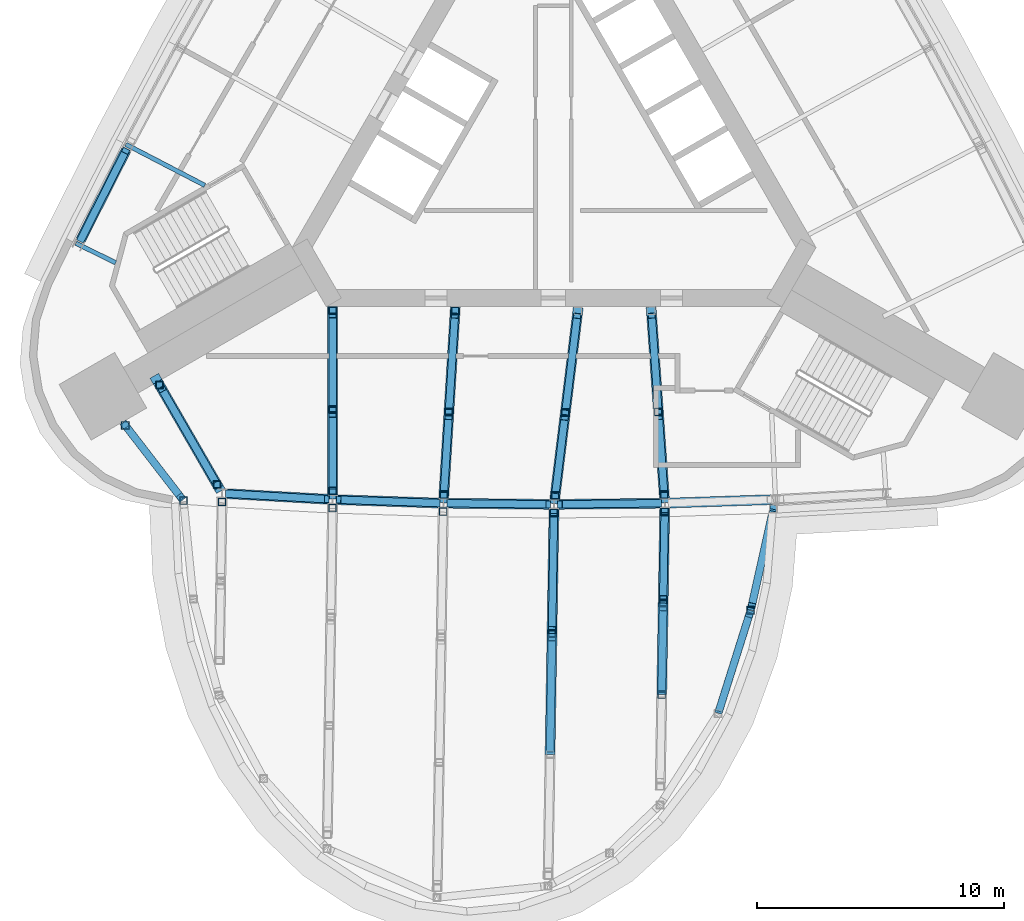
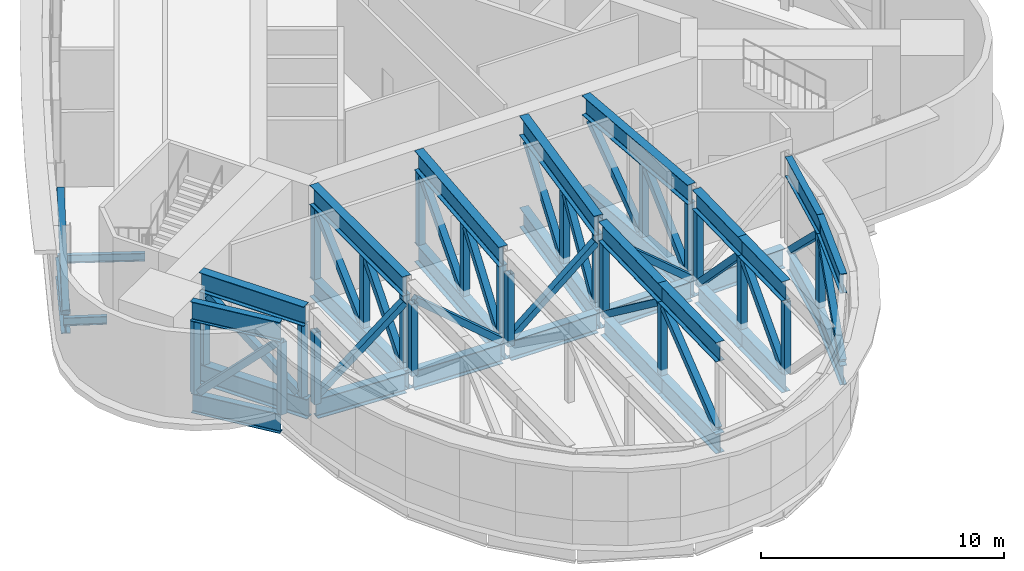
# One storey, part 3 of 10: 68 members, 8 beams.
"""IFC4 building model written with IfcOpenShell, lengths in metres."""

import ifcopenshell
import ifcopenshell.guid

model = None  # the IFC model being written
_history = None  # IfcOwnerHistory: only IFC2X3 demands one
_inside = {}  # id of a spatial element -> (the spatial element, [elements in it])
_under = {}  # id of a project, library or spatial element -> (it, [spatial elements below it])
_declared = {}  # id of a project -> (the project, [libraries it declares])
_typed = {}  # id of a type object -> (the type object, [elements of that type])
_made_of = {}  # id of a material, layer set ... -> (it, [elements and type objects made of it])


def new_model(schema):
    """Start an empty IFC model of exactly this schema.

    Asked for "IFC4X3", IfcOpenShell would pick the latest addendum, in which some entities
    have other attributes; the version numbers below select the first issue.
    IFC2X3 requires an IfcOwnerHistory on every rooted entity: one is made here for all.
    """
    global model, _history
    if schema == "IFC4X3":
        model = ifcopenshell.file(schema_version=(4, 3, 0, 0))
    else:
        model = ifcopenshell.file(schema=schema)
    _inside.clear()
    _under.clear()
    _declared.clear()
    _typed.clear()
    _made_of.clear()
    _history = None
    if model.schema == "IFC2X3":
        org = make("IfcOrganization", Name="unknown")
        user = make(
            "IfcPersonAndOrganization",
            ThePerson=make("IfcPerson", FamilyName="unknown"),
            TheOrganization=org,
        )
        app = make(
            "IfcApplication",
            ApplicationDeveloper=org,
            Version="unknown",
            ApplicationFullName="unknown",
            ApplicationIdentifier="unknown",
        )
        _history = make(
            "IfcOwnerHistory",
            OwningUser=user,
            OwningApplication=app,
            ChangeAction="ADDED",
            CreationDate=0,
        )
    return model


def make(cls, **values):
    """One entity of the class cls with the attributes given. An attribute that is None is left unset."""
    return model.create_entity(
        cls, **{name: value for name, value in values.items() if value is not None}
    )


def rooted(cls, **values):
    """An entity with a GlobalId (a new one), such as an element, a storey or a relation."""
    return make(cls, GlobalId=ifcopenshell.guid.new(), OwnerHistory=_history, **values)


def si_unit(unit_type, name, prefix=None):
    """IfcSIUnit, for example si_unit("LENGTHUNIT", "METRE", prefix="MILLI")."""
    return make("IfcSIUnit", UnitType=unit_type, Prefix=prefix, Name=name)


def assignment(units):
    """IfcUnitAssignment: the units of a project."""
    return None if units is None else make("IfcUnitAssignment", Units=units)


def point(xyz):
    """IfcCartesianPoint."""
    return None if xyz is None else make("IfcCartesianPoint", Coordinates=xyz)


def direction(xyz):
    """IfcDirection."""
    return None if xyz is None else make("IfcDirection", DirectionRatios=xyz)


def frame(location, z_axis=None, x_axis=None):
    """IfcAxis2Placement3D, a coordinate frame: its origin and axes. An axis left out is left unset."""
    return make(
        "IfcAxis2Placement3D",
        Location=point(location),
        Axis=direction(z_axis),
        RefDirection=direction(x_axis),
    )


def frame_2d(location, x_axis=None):
    """IfcAxis2Placement2D, a coordinate frame in the plane: its origin and x axis."""
    return make(
        "IfcAxis2Placement2D", Location=point(location), RefDirection=direction(x_axis)
    )


def origin():
    """The frame at (0, 0, 0) with its axes left unset."""
    return frame((0.0, 0.0, 0.0))


def origin_2d():
    """The frame at (0, 0) in the plane with its x axis left unset."""
    return frame_2d((0.0, 0.0))


def place(relative_to, where):
    """IfcLocalPlacement: puts the frame where relative to a parent placement (None: the world)."""
    return make(
        "IfcLocalPlacement", PlacementRelTo=relative_to, RelativePlacement=where
    )


def context(
    kind, dimensions, precision=None, world=None, true_north=None, identifier=None
):
    """IfcGeometricRepresentationContext, for example the 3D "Model" context."""
    return make(
        "IfcGeometricRepresentationContext",
        ContextIdentifier=identifier,
        ContextType=kind,
        CoordinateSpaceDimension=dimensions,
        Precision=precision,
        WorldCoordinateSystem=world,
        TrueNorth=true_north,
    )


def subcontext(parent, identifier, kind, view, scale=None):
    """IfcGeometricRepresentationSubContext, for example "Body" below "Model"."""
    return make(
        "IfcGeometricRepresentationSubContext",
        ContextIdentifier=identifier,
        ContextType=kind,
        ParentContext=parent,
        TargetScale=scale,
        TargetView=view,
    )


def project(units=None, contexts=None):
    """IfcProject with its units and contexts."""
    return rooted(
        "IfcProject",
        Name="project",
        RepresentationContexts=contexts,
        UnitsInContext=assignment(units),
    )


def spatial(cls, under=None, at=None, **own):
    """A site, building, storey or space (cls), placed at a placement, below another one or the project."""
    s = rooted(cls, ObjectPlacement=at, **own)
    if under is not None:
        _under.setdefault(under.id(), (under, []))[1].append(s)
    return s


def profile(cls, at=None, kind="AREA", **sizes):
    """A parametric profile (cls). Its sizes go by their IFC names, for example OverallWidth=200.0."""
    return make(cls, ProfileType=kind, Position=at, **sizes)


def hollow_rectangle(**sizes):
    """IfcRectangleHollowProfileDef."""
    return profile("IfcRectangleHollowProfileDef", **sizes)


def i_section(**sizes):
    """IfcIShapeProfileDef."""
    return profile("IfcIShapeProfileDef", **sizes)


def extrude(swept, where, along, depth):
    """IfcExtrudedAreaSolid: the profile swept, set in the frame where, extruded along a direction by depth."""
    return make(
        "IfcExtrudedAreaSolid",
        SweptArea=swept,
        Position=where,
        ExtrudedDirection=direction(along),
        Depth=depth,
    )


def shape(context_of_items, identifier, shape_type, items):
    """IfcShapeRepresentation: the items that make up one representation, for example the "Body"."""
    return make(
        "IfcShapeRepresentation",
        ContextOfItems=context_of_items,
        RepresentationIdentifier=identifier,
        RepresentationType=shape_type,
        Items=items,
    )


def material(Name=None, Category=None):
    """IfcMaterial."""
    return make("IfcMaterial", Name=Name, Category=Category)


def material_profile(
    of_material, cross_section, Name=None, Category=None, Priority=None
):
    """IfcMaterialProfile: a cross section and its material."""
    return make(
        "IfcMaterialProfile",
        Name=Name,
        Material=of_material,
        Profile=cross_section,
        Priority=Priority,
        Category=Category,
    )


def profile_set(profiles, Name=None, composite=None):
    """IfcMaterialProfileSet."""
    return make(
        "IfcMaterialProfileSet",
        Name=Name,
        MaterialProfiles=profiles,
        CompositeProfile=composite,
    )


def made_of(thing, what):
    """Note that an element or type object is made of a material, layer set ...; save() writes the relation."""
    if what is not None:
        _made_of.setdefault(what.id(), (what, []))[1].append(thing)
    return thing


def type_object(cls, material=None, **own):
    """A type object (cls), such as IfcWallType, which elements share."""
    return made_of(rooted(cls, **own), material)


def element(
    cls,
    number,
    at=None,
    inside=None,
    cuts=None,
    type_object=None,
    material=None,
    context=None,
    identifier="Body",
    shape_type=None,
    held_by="IfcProductDefinitionShape",
    body=None,
    shapes=None,
    **own,
):
    """One element of the class cls, such as IfcWall. Its Tag is "e" and its number.

    at: its placement. inside: the storey or other place that contains it. cuts: it is an
    opening in that element (IfcRelVoidsElement). A single representation is given by context,
    identifier, shape_type and body (its items); several are given by shapes. held_by: the class
    of the entity that holds the representations. save() writes the other relations.
    """
    e = rooted(cls, Tag="e%d" % number, ObjectPlacement=at, **own)
    if body is not None:
        shapes = [shape(context, identifier, shape_type, body)]
    if shapes is not None:
        e.Representation = make(held_by, Representations=shapes)
    if inside is not None:
        _inside.setdefault(inside.id(), (inside, []))[1].append(e)
    if cuts is not None:
        rooted(
            "IfcRelVoidsElement", RelatingBuildingElement=cuts, RelatedOpeningElement=e
        )
    if type_object is not None:
        _typed.setdefault(type_object.id(), (type_object, []))[1].append(e)
    return made_of(e, material)


def aggregate(whole, parts):
    """IfcRelAggregates: a whole, such as a stair, and the parts it consists of."""
    return rooted("IfcRelAggregates", RelatingObject=whole, RelatedObjects=parts)


def save(model, path):
    """Write the relations noted so far, then the file.

    IfcRelAggregates (storeys below a building ...), IfcRelContainedInSpatialStructure (elements
    in a storey), IfcRelDefinesByType, IfcRelAssociatesMaterial and IfcRelDeclares: one each for
    every whole, place, type object, material and project.
    """
    for whole, parts in _under.values():
        aggregate(whole, parts)
    for where, things in _inside.values():
        rooted(
            "IfcRelContainedInSpatialStructure",
            RelatedElements=things,
            RelatingStructure=where,
        )
    for kind, things in _typed.values():
        rooted("IfcRelDefinesByType", RelatedObjects=things, RelatingType=kind)
    for what, things in _made_of.values():
        rooted("IfcRelAssociatesMaterial", RelatedObjects=things, RelatingMaterial=what)
    for by, libraries in _declared.values():
        rooted("IfcRelDeclares", RelatingContext=by, RelatedDefinitions=libraries)
    model.write(path)


model = new_model("IFC4")

# Units and contexts
model_context = context("Model", 3, precision=1e-05, world=origin(), true_north=direction((0.0, 1.0)))
body_context = subcontext(model_context, "Body", "Model", "MODEL_VIEW")
ifc_project = project(units=[si_unit("LENGTHUNIT", "METRE"), si_unit("AREAUNIT", "SQUARE_METRE"), si_unit("VOLUMEUNIT", "CUBIC_METRE"), si_unit("PLANEANGLEUNIT", "RADIAN"), si_unit("MASSUNIT", "GRAM", prefix="KILO")], contexts=[model_context])

# Site, building, storey
site_placement = place(None, origin())
site = spatial("IfcSite", under=ifc_project, at=site_placement, CompositionType="ELEMENT")
building_placement = place(site_placement, origin())
building = spatial("IfcBuilding", under=site, at=building_placement, Name="Noor Cloister Tower", CompositionType="ELEMENT")
storey_placement = place(building_placement, frame((0.0, 0.0, 210.300048828125)))
storey = spatial("IfcBuildingStorey", under=building, at=storey_placement, Name="L54", CompositionType="ELEMENT", Elevation=210.300048828125)

# Beams
ifc_material_1 = material(Name="Steel ASTM A992 Gr 50", Category="steel")
ifc_material_profile_1 = material_profile(ifc_material_1, i_section(OverallWidth=0.40087890625, OverallDepth=0.98291015625, WebThickness=0.0166015625, FlangeThickness=0.027099609375, FilletRadius=0.030029296875, at=origin_2d()), Name="W1000x296")
ifc_profile_set_1 = profile_set([ifc_material_profile_1], Name="Steel ASTM A992 Gr 50")
beam_type_1 = type_object("IfcBeamType", Name="Belt chord girder W1000x296", PredefinedType="BEAM", material=ifc_profile_set_1)
for number, where, z_axis, x_axis, name in (
    (1, (-17.342041015625, -0.575439453125, -0.79150390625), (-0.451335742221, -0.89235421655, 0.0), (0.89235421655, -0.451335742221, 0.0), "Spandrel beam NW 06 L54"),
    (2, (-13.2568359375, -14.504638671875, -0.79150390625), (0.998470612273, -0.055285047042, 0.0), (0.055285047042, 0.998470612273, 0.0), "Spandrel beam S 01 L54"),
    (3, (-8.77587890625, -14.748291015625, -0.79150390625), (0.999448145516, -0.033217531896, 0.0), (0.033217531896, 0.999448145516, 0.0), "Spandrel beam S 02 L54"),
    (4, (-4.29052734375, -14.89306640625, -0.79150390625), (0.999939135637, -0.01103290631, 0.0), (0.01103290631, 0.999939135637, 0.0), "Spandrel beam S 03 L54"),
    (5, (0.197021484375, -14.938232421875, -0.79150390625), (0.999939135637, 0.01103290631, 0.0), (-0.01103290631, 0.999939135637, 0.0), "Spandrel beam S 04 L54"),
    (6, (4.684326171875, -14.88427734375, -0.79150390625), (0.999448145516, 0.033217531896, 0.0), (-0.033217531896, 0.999448145516, 0.0), "Spandrel beam S 05 L54"),
):
    element("IfcBeam", number, at=place(storey_placement, frame(where, z_axis=z_axis, x_axis=x_axis)), inside=storey, type_object=beam_type_1, Name=name, PredefinedType="BEAM", context=body_context, shape_type="SweptSolid", body=[
        extrude(i_section(OverallWidth=0.40087890625, OverallDepth=0.98291015625, WebThickness=0.0166015625, FlangeThickness=0.027099609375, FilletRadius=0.030029296875, at=origin_2d()), origin(), (0.0, 0.0, 1.0), 4.09375),
    ])

# Members
ifc_material_2 = material(Name="Steel ASTM A500 Gr C", Category="steel")
ifc_material_profile_2 = material_profile(ifc_material_2, hollow_rectangle(XDim=0.304931640625, YDim=0.304931640625, WallThickness=0.0126953125, at=origin_2d()), Name="HSS304.8x304.8x12.7")
ifc_profile_set_2 = profile_set([ifc_material_profile_2], Name="Steel ASTM A500 Gr C")
member_type_1 = type_object("IfcMemberType", Name="Belt truss diagonal HSS304.8x304.8x12.7", PredefinedType="BRACE", material=ifc_profile_set_2)
for number, where, z_axis, x_axis, name in (
    (7, (-19.17138671875, -4.1923828125, -0.183349609375), (0.345024295927, 0.682188103041, 0.644653106166), (-0.892361294309, 0.451321748223, 0.0), "Belt truss diagonal NW 06 L54"),
    (8, (-13.216552734375, -14.5068359375, -0.183349609375), (0.763304965985, -0.042279216019, 0.644653392758), (0.05530490445, 0.998469512576, 0.0), "Belt truss diagonal S 01 L54"),
    (9, (-4.724853515625, -14.883056640625, -0.183349609375), (-0.764051433143, 0.025395512418, 0.644655315235), (-0.03321961707, -0.999448076211, 0.0), "Belt truss diagonal S 02 L54"),
    (10, (-4.25, -14.8935546875, -0.183349609375), (0.764425261671, -0.008465189998, 0.644656776803), (0.011073248648, 0.999938689703, 0.0), "Belt truss diagonal S 03 L54"),
    (11, (4.25, -14.8935546875, -0.183349609375), (-0.764425261671, -0.008465189998, 0.644656776803), (0.011073248648, -0.999938689703, 0.0), "Belt truss diagonal S 04 L54"),
):
    element("IfcMember", number, at=place(storey_placement, frame(where, z_axis=z_axis, x_axis=x_axis)), inside=storey, type_object=member_type_1, Name=name, PredefinedType="BRACE", context=body_context, shape_type="SweptSolid", body=[
        extrude(hollow_rectangle(XDim=0.304931640625, YDim=0.304931640625, WallThickness=0.0126953125, at=origin_2d()), origin(), (0.0, 0.0, 1.0), 5.2490234375),
    ])
ifc_material_3 = material(Name="Steel ASTM A992 Gr 50", Category="steel")
ifc_material_profile_3 = material_profile(ifc_material_3, i_section(OverallWidth=0.300048828125, OverallDepth=0.97998046875, WebThickness=0.0166015625, FlangeThickness=0.026123046875, FilletRadius=0.02978515625, at=origin_2d()), Name="W1000x249")
ifc_profile_set_3 = profile_set([ifc_material_profile_3], Name="Steel ASTM A992 Gr 50")
member_type_2 = type_object("IfcMemberType", Name="Pod ring chord W1000x249", PredefinedType="CHORD", material=ifc_profile_set_3)
member_1_placement = place(storey_placement, frame((-17.457275390625, -11.6318359375, -0.7900390625), z_axis=(0.610864412607, -0.791735226834, 0.0), x_axis=(0.791735226834, 0.610864412607, 0.0)))
element("IfcMember", 12, at=member_1_placement, inside=storey, type_object=member_type_2, Name="Pod truss 4 bottom chord ring 1", PredefinedType="CHORD", context=body_context, shape_type="SweptSolid", body=[
    extrude(i_section(OverallWidth=0.300048828125, OverallDepth=0.97998046875, WebThickness=0.0166015625, FlangeThickness=0.026123046875, FilletRadius=0.02978515625, at=origin_2d()), origin(), (0.0, 0.0, 1.0), 3.945556640625),
])
member_2_placement = place(storey_placement, frame((-17.47265625, -11.612060546875, 3.81005859375), z_axis=(0.610883851341, -0.791720228472, 0.0), x_axis=(0.791720228472, 0.610883851341, 0.0)))
element("IfcMember", 13, at=member_2_placement, inside=storey, type_object=member_type_2, Name="Pod truss 4 top chord ring 1", PredefinedType="CHORD", context=body_context, shape_type="SweptSolid", body=[
    extrude(i_section(OverallWidth=0.300048828125, OverallDepth=0.97998046875, WebThickness=0.0166015625, FlangeThickness=0.026123046875, FilletRadius=0.02978515625, at=origin_2d()), origin(), (0.0, 0.0, 1.0), 3.970458984375),
])
for number, where, z_axis, x_axis, name in (
    (14, (6.65576171875, -23.3994140625, -0.7900390625), (0.300614726383, 0.953745661212, 0.0), (-0.953745661212, 0.300614726383, 0.0), "Pod truss 4 bottom chord ring 11"),
    (15, (6.65576171875, -23.3994140625, 3.81005859375), (0.300614726383, 0.953745661212, 0.0), (-0.953745661212, 0.300614726383, 0.0), "Pod truss 4 top chord ring 11"),
):
    element("IfcMember", number, at=place(storey_placement, frame(where, z_axis=z_axis, x_axis=x_axis)), inside=storey, type_object=member_type_2, Name=name, PredefinedType="CHORD", context=body_context, shape_type="SweptSolid", body=[
        extrude(i_section(OverallWidth=0.300048828125, OverallDepth=0.97998046875, WebThickness=0.0166015625, FlangeThickness=0.026123046875, FilletRadius=0.02978515625, at=origin_2d()), origin(), (0.0, 0.0, 1.0), 4.365234375),
    ])
member_3_placement = place(storey_placement, frame((7.971435546875, -19.223388671875, -0.7900390625), z_axis=(0.217943328655, 0.975961426233, 0.0), x_axis=(-0.975961426233, 0.217943328655, 0.0)))
element("IfcMember", 16, at=member_3_placement, inside=storey, type_object=member_type_2, Name="Pod truss 4 bottom chord ring 12", PredefinedType="CHORD", context=body_context, shape_type="SweptSolid", body=[
    extrude(i_section(OverallWidth=0.300048828125, OverallDepth=0.97998046875, WebThickness=0.0166015625, FlangeThickness=0.026123046875, FilletRadius=0.02978515625, at=origin_2d()), origin(), (0.0, 0.0, 1.0), 4.18505859375),
])
member_4_placement = place(storey_placement, frame((7.971435546875, -19.223388671875, 3.81005859375), z_axis=(0.217920670065, 0.975966485879, 0.0), x_axis=(-0.975966485879, 0.217920670065, 0.0)))
element("IfcMember", 17, at=member_4_placement, inside=storey, type_object=member_type_2, Name="Pod truss 4 top chord ring 12", PredefinedType="CHORD", context=body_context, shape_type="SweptSolid", body=[
    extrude(i_section(OverallWidth=0.300048828125, OverallDepth=0.97998046875, WebThickness=0.0166015625, FlangeThickness=0.026123046875, FilletRadius=0.02978515625, at=origin_2d()), origin(), (0.0, 0.0, 1.0), 4.359130859375),
])
ifc_material_4 = material(Name="Steel ASTM A992 Gr 50", Category="steel")
ifc_material_profile_4 = material_profile(ifc_material_4, i_section(OverallWidth=0.40087890625, OverallDepth=0.98291015625, WebThickness=0.0166015625, FlangeThickness=0.027099609375, FilletRadius=0.030029296875, at=origin_2d()), Name="W1000x296")
ifc_profile_set_4 = profile_set([ifc_material_profile_4], Name="Steel ASTM A992 Gr 50")
member_type_3 = type_object("IfcMemberType", Name="Pod truss chord W1000x296", PredefinedType="CHORD", material=ifc_profile_set_4)
member_5_placement = place(storey_placement, frame((-13.508056640625, -14.399169921875, -0.79150390625), z_axis=(-0.500011235683, 0.866018916762, 0.0), x_axis=(-0.866018916762, -0.500011235683, 0.0)))
element("IfcMember", 18, at=member_5_placement, inside=storey, type_object=member_type_3, Name="Pod truss 4 bottom chord line 1 back span", PredefinedType="CHORD", context=body_context, shape_type="SweptSolid", body=[
    extrude(i_section(OverallWidth=0.40087890625, OverallDepth=0.98291015625, WebThickness=0.0166015625, FlangeThickness=0.027099609375, FilletRadius=0.030029296875, at=origin_2d()), origin(), (0.0, 0.0, 1.0), 5.39111328125),
])
member_6_placement = place(storey_placement, frame((-13.58642578125, -14.263427734375, 3.808349609375), z_axis=(-0.500009380294, 0.866019988001, 0.0), x_axis=(-0.866019988001, -0.500009380294, 0.0)))
element("IfcMember", 19, at=member_6_placement, inside=storey, type_object=member_type_3, Name="Pod truss 4 top chord line 1 back span", PredefinedType="CHORD", context=body_context, shape_type="SweptSolid", body=[
    extrude(i_section(OverallWidth=0.40087890625, OverallDepth=0.98291015625, WebThickness=0.0166015625, FlangeThickness=0.027099609375, FilletRadius=0.030029296875, at=origin_2d()), origin(), (0.0, 0.0, 1.0), 4.95947265625),
])
member_7_placement = place(storey_placement, frame((-8.97265625, -14.723876953125, -0.79150390625), z_axis=(0.0, 1.0, 0.0), x_axis=(-1.0, 0.0, 0.0)))
element("IfcMember", 20, at=member_7_placement, inside=storey, type_object=member_type_3, Name="Pod truss 4 bottom chord line 2 back span", PredefinedType="CHORD", context=body_context, shape_type="SweptSolid", body=[
    extrude(i_section(OverallWidth=0.40087890625, OverallDepth=0.98291015625, WebThickness=0.0166015625, FlangeThickness=0.027099609375, FilletRadius=0.030029296875, at=origin_2d()), origin(), (0.0, 0.0, 1.0), 7.795654296875),
])
member_8_placement = place(storey_placement, frame((-8.97265625, -14.54541015625, 3.808349609375), z_axis=(0.0, 1.0, 0.0), x_axis=(-1.0, 0.0, 0.0)))
element("IfcMember", 21, at=member_8_placement, inside=storey, type_object=member_type_3, Name="Pod truss 4 top chord line 2 back span", PredefinedType="CHORD", context=body_context, shape_type="SweptSolid", body=[
    extrude(i_section(OverallWidth=0.40087890625, OverallDepth=0.98291015625, WebThickness=0.0166015625, FlangeThickness=0.027099609375, FilletRadius=0.030029296875, at=origin_2d()), origin(), (0.0, 0.0, 1.0), 7.6171875),
])
member_9_placement = place(storey_placement, frame((-4.486328125, -14.871826171875, -0.79150390625), z_axis=(0.061048844381, 0.998134779777, 0.0), x_axis=(-0.998134779777, 0.061048844381, 0.0)))
element("IfcMember", 22, at=member_9_placement, inside=storey, type_object=member_type_3, Name="Pod truss 4 bottom chord line 3 back span", PredefinedType="CHORD", context=body_context, shape_type="SweptSolid", body=[
    extrude(i_section(OverallWidth=0.40087890625, OverallDepth=0.98291015625, WebThickness=0.0166015625, FlangeThickness=0.027099609375, FilletRadius=0.030029296875, at=origin_2d()), origin(), (0.0, 0.0, 1.0), 7.9462890625),
])
member_10_placement = place(storey_placement, frame((-4.4755859375, -14.69580078125, 3.808349609375), z_axis=(0.061051926927, 0.998134591234, 0.0), x_axis=(-0.998134591234, 0.061051926927, 0.0)))
element("IfcMember", 23, at=member_10_placement, inside=storey, type_object=member_type_3, Name="Pod truss 4 top chord line 3 back span", PredefinedType="CHORD", context=body_context, shape_type="SweptSolid", body=[
    extrude(i_section(OverallWidth=0.40087890625, OverallDepth=0.98291015625, WebThickness=0.0166015625, FlangeThickness=0.027099609375, FilletRadius=0.030029296875, at=origin_2d()), origin(), (0.0, 0.0, 1.0), 7.769775390625),
])
member_11_placement = place(storey_placement, frame((-0.005859375, -15.307861328125, -0.79150390625), z_axis=(-0.016035626459, -0.999871421076, 0.0), x_axis=(0.999871421076, -0.016035626459, 0.0)))
element("IfcMember", 24, at=member_11_placement, inside=storey, type_object=member_type_3, Name="Pod truss 4 bottom chord line 4 cantilever 1", PredefinedType="CHORD", context=body_context, shape_type="SweptSolid", body=[
    extrude(i_section(OverallWidth=0.40087890625, OverallDepth=0.98291015625, WebThickness=0.0166015625, FlangeThickness=0.027099609375, FilletRadius=0.030029296875, at=origin_2d()), origin(), (0.0, 0.0, 1.0), 4.8720703125),
])
member_12_placement = place(storey_placement, frame((-0.003173828125, -15.131591796875, 3.808349609375), z_axis=(-0.016007622196, -0.999871869807, 0.0), x_axis=(0.999871869807, -0.016007622196, 0.0)))
element("IfcMember", 25, at=member_12_placement, inside=storey, type_object=member_type_3, Name="Pod truss 4 top chord line 4 cantilever 1", PredefinedType="CHORD", context=body_context, shape_type="SweptSolid", body=[
    extrude(i_section(OverallWidth=0.40087890625, OverallDepth=0.98291015625, WebThickness=0.0166015625, FlangeThickness=0.027099609375, FilletRadius=0.030029296875, at=origin_2d()), origin(), (0.0, 0.0, 1.0), 5.04833984375),
])
for number, where, z_axis, x_axis, name in (
    (26, (-0.083984375, -20.17919921875, -0.79150390625), (-0.016057779706, -0.999871065543, 0.0), (0.999871065543, -0.016057779706, 0.0), "Pod truss 4 bottom chord line 4 cantilever 2"),
    (27, (-0.083984375, -20.17919921875, 3.808349609375), (-0.016057779706, -0.999871065543, 0.0), (0.999871065543, -0.016057779706, 0.0), "Pod truss 4 top chord line 4 cantilever 2"),
):
    element("IfcMember", number, at=place(storey_placement, frame(where, z_axis=z_axis, x_axis=x_axis)), inside=storey, type_object=member_type_3, Name=name, PredefinedType="CHORD", context=body_context, shape_type="SweptSolid", body=[
        extrude(i_section(OverallWidth=0.40087890625, OverallDepth=0.98291015625, WebThickness=0.0166015625, FlangeThickness=0.027099609375, FilletRadius=0.030029296875, at=origin_2d()), origin(), (0.0, 0.0, 1.0), 4.895751953125),
    ])
member_13_placement = place(storey_placement, frame((0.00439453125, -14.9052734375, -0.79150390625), z_axis=(0.121851804254, 0.992548305021, 0.0), x_axis=(-0.992548305021, 0.121851804254, 0.0)))
element("IfcMember", 28, at=member_13_placement, inside=storey, type_object=member_type_3, Name="Pod truss 4 bottom chord line 4 back span", PredefinedType="CHORD", context=body_context, shape_type="SweptSolid", body=[
    extrude(i_section(OverallWidth=0.40087890625, OverallDepth=0.98291015625, WebThickness=0.0166015625, FlangeThickness=0.027099609375, FilletRadius=0.030029296875, at=origin_2d()), origin(), (0.0, 0.0, 1.0), 8.012451171875),
])
member_14_placement = place(storey_placement, frame((0.025634765625, -14.7314453125, 3.808349609375), z_axis=(0.12186438166, 0.992546760854, 0.0), x_axis=(-0.992546760854, 0.12186438166, 0.0)))
element("IfcMember", 29, at=member_14_placement, inside=storey, type_object=member_type_3, Name="Pod truss 4 top chord line 4 back span", PredefinedType="CHORD", context=body_context, shape_type="SweptSolid", body=[
    extrude(i_section(OverallWidth=0.40087890625, OverallDepth=0.98291015625, WebThickness=0.0166015625, FlangeThickness=0.027099609375, FilletRadius=0.030029296875, at=origin_2d()), origin(), (0.0, 0.0, 1.0), 7.837158203125),
])
member_15_placement = place(storey_placement, frame((4.4814453125, -15.262939453125, -0.79150390625), z_axis=(-0.016046743202, -0.999871242727, 0.0), x_axis=(0.999871242727, -0.016046743202, 0.0)))
element("IfcMember", 30, at=member_15_placement, inside=storey, type_object=member_type_3, Name="Pod truss 4 bottom chord line 5 cantilever 1", PredefinedType="CHORD", context=body_context, shape_type="SweptSolid", body=[
    extrude(i_section(OverallWidth=0.40087890625, OverallDepth=0.98291015625, WebThickness=0.0166015625, FlangeThickness=0.027099609375, FilletRadius=0.030029296875, at=origin_2d()), origin(), (0.0, 0.0, 1.0), 3.681884765625),
])
member_16_placement = place(storey_placement, frame((4.484375, -15.086181640625, 3.808349609375), z_axis=(-0.016070821833, -0.999870856004, 0.0), x_axis=(0.999870856004, -0.016070821833, 0.0)))
element("IfcMember", 31, at=member_16_placement, inside=storey, type_object=member_type_3, Name="Pod truss 4 top chord line 5 cantilever 1", PredefinedType="CHORD", context=body_context, shape_type="SweptSolid", body=[
    extrude(i_section(OverallWidth=0.40087890625, OverallDepth=0.98291015625, WebThickness=0.0166015625, FlangeThickness=0.027099609375, FilletRadius=0.030029296875, at=origin_2d()), origin(), (0.0, 0.0, 1.0), 3.858642578125),
])
for number, where, z_axis, x_axis, name in (
    (32, (4.42236328125, -18.9443359375, -0.79150390625), (-0.016006908699, -0.99987188123, 0.0), (0.99987188123, -0.016006908699, 0.0), "Pod truss 4 bottom chord line 5 cantilever 2"),
    (33, (4.42236328125, -18.9443359375, 3.808349609375), (-0.016006908699, -0.99987188123, 0.0), (0.99987188123, -0.016006908699, 0.0), "Pod truss 4 top chord line 5 cantilever 2"),
):
    element("IfcMember", number, at=place(storey_placement, frame(where, z_axis=z_axis, x_axis=x_axis)), inside=storey, type_object=member_type_3, Name=name, PredefinedType="CHORD", context=body_context, shape_type="SweptSolid", body=[
        extrude(i_section(OverallWidth=0.40087890625, OverallDepth=0.98291015625, WebThickness=0.0166015625, FlangeThickness=0.027099609375, FilletRadius=0.030029296875, at=origin_2d()), origin(), (0.0, 0.0, 1.0), 3.706298828125),
    ])
member_17_placement = place(storey_placement, frame((4.486083984375, -14.8701171875, -0.79150390625), z_axis=(-0.069764624877, 0.997563480244, 0.0), x_axis=(-0.997563480244, -0.069764624877, 0.0)))
element("IfcMember", 34, at=member_17_placement, inside=storey, type_object=member_type_3, Name="Pod truss 4 bottom chord line 5 back span", PredefinedType="CHORD", context=body_context, shape_type="SweptSolid", body=[
    extrude(i_section(OverallWidth=0.40087890625, OverallDepth=0.98291015625, WebThickness=0.0166015625, FlangeThickness=0.027099609375, FilletRadius=0.030029296875, at=origin_2d()), origin(), (0.0, 0.0, 1.0), 7.947265625),
])
member_18_placement = place(storey_placement, frame((4.4736328125, -14.694091796875, 3.808349609375), z_axis=(-0.069746590004, 0.997564741349, 0.0), x_axis=(-0.997564741349, -0.069746590004, 0.0)))
element("IfcMember", 35, at=member_18_placement, inside=storey, type_object=member_type_3, Name="Pod truss 4 top chord line 5 back span", PredefinedType="CHORD", context=body_context, shape_type="SweptSolid", body=[
    extrude(i_section(OverallWidth=0.40087890625, OverallDepth=0.98291015625, WebThickness=0.0166015625, FlangeThickness=0.027099609375, FilletRadius=0.030029296875, at=origin_2d()), origin(), (0.0, 0.0, 1.0), 7.77099609375),
])
ifc_material_5 = material(Name="Steel ASTM A500 Gr C", Category="steel")
ifc_material_profile_5 = material_profile(ifc_material_5, hollow_rectangle(XDim=0.304931640625, YDim=0.304931640625, WallThickness=0.0126953125, at=origin_2d()), Name="HSS304.8x304.8x12.7")
ifc_profile_set_5 = profile_set([ifc_material_profile_5], Name="Steel ASTM A500 Gr C")
member_type_4 = type_object("IfcMemberType", Name="Pod truss diagonal HSS304.8x304.8x12.7", PredefinedType="BRACE", material=ifc_profile_set_5)
member_19_placement = place(storey_placement, frame((-17.2587890625, -11.88916015625, -0.191162109375), z_axis=(0.43590783278, -0.565041506951, 0.700508712825), x_axis=(0.791769602891, 0.610819855553, 0.0)))
element("IfcMember", 36, at=member_19_placement, inside=storey, type_object=member_type_4, Name="Pod truss 4 diagonal ring 1", PredefinedType="BRACE", context=body_context, shape_type="SweptSolid", body=[
    extrude(hollow_rectangle(XDim=0.304931640625, YDim=0.304931640625, WallThickness=0.0126953125, at=origin_2d()), origin(), (0.0, 0.0, 1.0), 4.85693359375),
])
member_20_placement = place(storey_placement, frame((6.709228515625, -23.22998046875, -0.18359375), z_axis=(0.229325710854, 0.727588360812, 0.646548447954), x_axis=(-0.953747778954, 0.300608007445, 0.0)))
element("IfcMember", 37, at=member_20_placement, inside=storey, type_object=member_type_4, Name="Pod truss 4 diagonal ring 11", PredefinedType="BRACE", context=body_context, shape_type="SweptSolid", body=[
    extrude(hollow_rectangle(XDim=0.304931640625, YDim=0.304931640625, WallThickness=0.0126953125, at=origin_2d()), origin(), (0.0, 0.0, 1.0), 5.239013671875),
])
member_21_placement = place(storey_placement, frame((8.01318359375, -19.037109375, 3.2060546875), z_axis=(0.16290612438, 0.729635881025, -0.664148383842), x_axis=(-0.975969931895, 0.217905236367, 0.0)))
element("IfcMember", 38, at=member_21_placement, inside=storey, type_object=member_type_4, Name="Pod truss 4 diagonal ring 12", PredefinedType="BRACE", context=body_context, shape_type="SweptSolid", body=[
    extrude(hollow_rectangle(XDim=0.304931640625, YDim=0.304931640625, WallThickness=0.0126953125, at=origin_2d()), origin(), (0.0, 0.0, 1.0), 5.107421875),
])
member_22_placement = place(storey_placement, frame((-13.761474609375, -13.96044921875, -0.1806640625), z_axis=(-0.391739355376, 0.678526873825, 0.621402895831), x_axis=(-0.866030000797, -0.499992037656, 0.0)))
element("IfcMember", 39, at=member_22_placement, inside=storey, type_object=member_type_4, Name="Pod truss 4 diagonal line 1 back span 1", PredefinedType="BRACE", context=body_context, shape_type="SweptSolid", body=[
    extrude(hollow_rectangle(XDim=0.304931640625, YDim=0.304931640625, WallThickness=0.0126953125, at=origin_2d()), origin(), (0.0, 0.0, 1.0), 5.436279296875),
])
member_23_placement = place(storey_placement, frame((-8.97265625, -14.1953125, -0.201416015625), z_axis=(0.0, 0.64616690838, 0.763196125851), x_axis=(-1.0, 0.0, 0.0)))
element("IfcMember", 40, at=member_23_placement, inside=storey, type_object=member_type_4, Name="Pod truss 4 diagonal line 2 back span 1", PredefinedType="BRACE", context=body_context, shape_type="SweptSolid", body=[
    extrude(hollow_rectangle(XDim=0.304931640625, YDim=0.304931640625, WallThickness=0.0126953125, at=origin_2d()), origin(), (0.0, 0.0, 1.0), 4.48095703125),
])
member_24_placement = place(storey_placement, frame((-8.97265625, -10.90478515625, -0.188720703125), z_axis=(0.0, 0.730091830965, 0.683349045773), x_axis=(-1.0, 0.0, 0.0)))
element("IfcMember", 41, at=member_24_placement, inside=storey, type_object=member_type_4, Name="Pod truss 4 diagonal line 2 back span 2", PredefinedType="BRACE", context=body_context, shape_type="SweptSolid", body=[
    extrude(hollow_rectangle(XDim=0.304931640625, YDim=0.304931640625, WallThickness=0.0126953125, at=origin_2d()), origin(), (0.0, 0.0, 1.0), 4.967041015625),
])
member_25_placement = place(storey_placement, frame((-4.4541015625, -14.346435546875, -0.2001953125), z_axis=(0.039990700369, 0.654044936264, 0.755397885377), x_axis=(-0.998135951499, 0.061029683972, 0.0)))
element("IfcMember", 42, at=member_25_placement, inside=storey, type_object=member_type_4, Name="Pod truss 4 diagonal line 3 back span 1", PredefinedType="BRACE", context=body_context, shape_type="SweptSolid", body=[
    extrude(hollow_rectangle(XDim=0.304931640625, YDim=0.304931640625, WallThickness=0.0126953125, at=origin_2d()), origin(), (0.0, 0.0, 1.0), 4.523681640625),
])
member_26_placement = place(storey_placement, frame((-4.2490234375, -10.993408203125, -0.1875), z_axis=(0.04506736996, 0.736715519719, 0.674699322047), x_axis=(-0.99813414464, 0.061059227833, 0.0)))
element("IfcMember", 43, at=member_26_placement, inside=storey, type_object=member_type_4, Name="Pod truss 4 diagonal line 3 back span 2", PredefinedType="BRACE", context=body_context, shape_type="SweptSolid", body=[
    extrude(hollow_rectangle(XDim=0.304931640625, YDim=0.304931640625, WallThickness=0.0126953125, at=origin_2d()), origin(), (0.0, 0.0, 1.0), 5.027099609375),
])
for number, where, z_axis, x_axis, name in (
    (44, (-0.0087890625, -15.4814453125, -0.177978515625), (-0.012805325524, -0.800137509801, 0.59967990549), (0.999871962091, -0.016001856931, 0.0), "Pod truss 4 diagonal line 4 cantilever 1"),
    (45, (-0.087158203125, -20.376708984375, 3.19482421875), (-0.01284917253, -0.800121446166, -0.599700400325), (0.999871078749, -0.016056957428, 0.0), "Pod truss 4 diagonal line 4 cantilever 2"),
):
    element("IfcMember", number, at=place(storey_placement, frame(where, z_axis=z_axis, x_axis=x_axis)), inside=storey, type_object=member_type_4, Name=name, PredefinedType="BRACE", context=body_context, shape_type="SweptSolid", body=[
        extrude(hollow_rectangle(XDim=0.304931640625, YDim=0.304931640625, WallThickness=0.0126953125, at=origin_2d()), origin(), (0.0, 0.0, 1.0), 5.624267578125),
    ])
member_27_placement = place(storey_placement, frame((0.068359375, -14.384033203125, -0.199462890625), z_axis=(0.080349711349, 0.654299254824, 0.751955057848), x_axis=(-0.992543974408, 0.121887074235, 0.0)))
element("IfcMember", 46, at=member_27_placement, inside=storey, type_object=member_type_4, Name="Pod truss 4 diagonal line 4 back span 1", PredefinedType="BRACE", context=body_context, shape_type="SweptSolid", body=[
    extrude(hollow_rectangle(XDim=0.304931640625, YDim=0.304931640625, WallThickness=0.0126953125, at=origin_2d()), origin(), (0.0, 0.0, 1.0), 4.54248046875),
])
member_28_placement = place(storey_placement, frame((0.4814453125, -11.019775390625, -0.18701171875), z_axis=(0.090381130958, 0.735995142314, 0.670926524783), x_axis=(-0.992544146608, 0.121885671981, 0.0)))
element("IfcMember", 47, at=member_28_placement, inside=storey, type_object=member_type_4, Name="Pod truss 4 diagonal line 4 back span 2", PredefinedType="BRACE", context=body_context, shape_type="SweptSolid", body=[
    extrude(hollow_rectangle(XDim=0.304931640625, YDim=0.304931640625, WallThickness=0.0126953125, at=origin_2d()), origin(), (0.0, 0.0, 1.0), 5.053955078125),
])
for number, where, z_axis, x_axis, name in (
    (48, (4.478759765625, -15.43603515625, -0.193603515625), (-0.011207028255, -0.697149129195, 0.716838541221), (0.999870814016, -0.016073433925, 0.0), "Pod truss 4 diagonal line 5 cantilever 1"),
    (49, (4.419189453125, -19.141845703125, 3.210693359375), (-0.011155626281, -0.697149529927, -0.71683895327), (0.999871996264, -0.015999721495, 0.0), "Pod truss 4 diagonal line 5 cantilever 2"),
):
    element("IfcMember", number, at=place(storey_placement, frame(where, z_axis=z_axis, x_axis=x_axis)), inside=storey, type_object=member_type_4, Name=name, PredefinedType="BRACE", context=body_context, shape_type="SweptSolid", body=[
        extrude(hollow_rectangle(XDim=0.304931640625, YDim=0.304931640625, WallThickness=0.0126953125, at=origin_2d()), origin(), (0.0, 0.0, 1.0), 4.7490234375),
    ])
member_29_placement = place(storey_placement, frame((4.44921875, -14.344970703125, -0.2001953125), z_axis=(-0.045708228061, 0.653730194482, 0.755346007278), x_axis=(-0.997564585442, -0.069748819867, 0.0)))
element("IfcMember", 50, at=member_29_placement, inside=storey, type_object=member_type_4, Name="Pod truss 4 diagonal line 5 back span 1", PredefinedType="BRACE", context=body_context, shape_type="SweptSolid", body=[
    extrude(hollow_rectangle(XDim=0.304931640625, YDim=0.304931640625, WallThickness=0.0126953125, at=origin_2d()), origin(), (0.0, 0.0, 1.0), 4.524169921875),
])
member_30_placement = place(storey_placement, frame((4.21484375, -10.993408203125, -0.1875), z_axis=(-0.051472934175, 0.736354314937, 0.674635353299), x_axis=(-0.997565744544, -0.069732240122, 0.0)))
element("IfcMember", 51, at=member_30_placement, inside=storey, type_object=member_type_4, Name="Pod truss 4 diagonal line 5 back span 2", PredefinedType="BRACE", context=body_context, shape_type="SweptSolid", body=[
    extrude(hollow_rectangle(XDim=0.304931640625, YDim=0.304931640625, WallThickness=0.0126953125, at=origin_2d()), origin(), (0.0, 0.0, 1.0), 5.027587890625),
])
ifc_material_6 = material(Name="Steel ASTM A500 Gr C", Category="steel")
ifc_material_profile_6 = material_profile(ifc_material_6, hollow_rectangle(XDim=0.304931640625, YDim=0.304931640625, WallThickness=0.0126953125, at=origin_2d()), Name="HSS304.8x304.8x12.7")
ifc_profile_set_6 = profile_set([ifc_material_profile_6], Name="Steel ASTM A500 Gr C")
member_type_5 = type_object("IfcMemberType", Name="Pod truss post HSS304.8x304.8x12.7", PredefinedType="POST", material=ifc_profile_set_6)
for number, where, z_axis, x_axis, name in (
    (52, (-17.37939453125, -11.732666015625, -0.300048828125), (0.0, 0.0, 1.0), (1.0, 0.0, 0.0), "Pod truss 4 post ring node 0"),
    (53, (-15.020751953125, -14.789794921875, -0.300048828125), (0.0, 0.0, 1.0), (1.0, 0.0, 0.0), "Pod truss 4 post ring node 1"),
    (54, (7.969970703125, -19.229736328125, -0.300048828125), (0.0, 0.0, 1.0), (1.0, 0.0, 0.0), "Pod truss 4 post ring node 11"),
):
    element("IfcMember", number, at=place(storey_placement, frame(where, z_axis=z_axis, x_axis=x_axis)), inside=storey, type_object=member_type_5, Name=name, PredefinedType="POST", context=body_context, shape_type="SweptSolid", body=[
        extrude(hollow_rectangle(XDim=0.304931640625, YDim=0.304931640625, WallThickness=0.0126953125, at=origin_2d()), origin(), (0.0, 0.0, 1.0), 3.6201171875),
    ])
for number, where, z_axis, x_axis, name in (
    (55, (-13.459228515625, -14.84375, -0.300048828125), (0.0, 0.0, 1.0), (1.0, 0.0, 0.0), "Pod truss 4 post line 1 cantilever 1"),
    (56, (-13.66259765625, -14.131591796875, -0.300048828125), (0.0, 0.0, 1.0), (1.0, 0.0, 0.0), "Pod truss 4 post line 1 back span 1"),
    (57, (-15.989990234375, -10.1005859375, -0.300048828125), (0.0, 0.0, 1.0), (1.0, 0.0, 0.0), "Pod truss 4 post line 1 back span 2"),
    (58, (-8.978271484375, -15.087890625, -0.300048828125), (0.0, 0.0, 1.0), (1.0, 0.0, 0.0), "Pod truss 4 post line 2 cantilever 1"),
    (59, (-8.97265625, -14.392822265625, -0.300048828125), (0.0, 0.0, 1.0), (1.0, 0.0, 0.0), "Pod truss 4 post line 2 back span 1"),
    (60, (-8.97265625, -11.102294921875, -0.300048828125), (0.0, 0.0, 1.0), (1.0, 0.0, 0.0), "Pod truss 4 post line 2 back span 2"),
    (61, (-8.97265625, -7.080810546875, -0.300048828125), (0.0, 0.0, 1.0), (1.0, 0.0, 0.0), "Pod truss 4 post line 2 back span 3"),
    (62, (-4.492919921875, -15.232421875, -0.300048828125), (0.0, 0.0, 1.0), (1.0, 0.0, 0.0), "Pod truss 4 post line 3 cantilever 1"),
    (63, (-4.46630859375, -14.54345703125, -0.300048828125), (0.0, 0.0, 1.0), (1.0, 0.0, 0.0), "Pod truss 4 post line 3 back span 1"),
    (64, (-4.26123046875, -11.190673828125, -0.300048828125), (0.0, 0.0, 1.0), (1.0, 0.0, 0.0), "Pod truss 4 post line 3 back span 2"),
    (65, (-4.010498046875, -7.092529296875, -0.300048828125), (0.0, 0.0, 1.0), (1.0, 0.0, 0.0), "Pod truss 4 post line 3 back span 3"),
    (66, (-0.005615234375, -15.2841796875, -0.300048828125), (0.0, 0.0, 1.0), (1.0, 0.0, 0.0), "Pod truss 4 post line 4 cantilever 1"),
    (67, (-0.083984375, -20.17919921875, -0.300048828125), (0.0, 0.0, 1.0), (1.0, 0.0, 0.0), "Pod truss 4 post line 4 cantilever 2"),
    (68, (0.044189453125, -14.580078125, -0.300048828125), (0.0, 0.0, 1.0), (1.0, 0.0, 0.0), "Pod truss 4 post line 4 back span 1"),
    (69, (0.457275390625, -11.2158203125, -0.300048828125), (0.0, 0.0, 1.0), (1.0, 0.0, 0.0), "Pod truss 4 post line 4 back span 2"),
    (70, (4.48193359375, -15.23876953125, -0.300048828125), (0.0, 0.0, 1.0), (1.0, 0.0, 0.0), "Pod truss 4 post line 5 cantilever 1"),
    (71, (4.42236328125, -18.9443359375, -0.300048828125), (0.0, 0.0, 1.0), (1.0, 0.0, 0.0), "Pod truss 4 post line 5 cantilever 2"),
    (72, (4.363037109375, -22.650146484375, -0.300048828125), (0.0, 0.0, 1.0), (1.0, 0.0, 0.0), "Pod truss 4 post line 5 cantilever 3"),
    (73, (4.463134765625, -14.5419921875, -0.300048828125), (0.0, 0.0, 1.0), (1.0, 0.0, 0.0), "Pod truss 4 post line 5 back span 1"),
    (74, (4.228759765625, -11.1904296875, -0.300048828125), (0.0, 0.0, 1.0), (1.0, 0.0, 0.0), "Pod truss 4 post line 5 back span 2"),
):
    element("IfcMember", number, at=place(storey_placement, frame(where, z_axis=z_axis, x_axis=x_axis)), inside=storey, type_object=member_type_5, Name=name, PredefinedType="POST", context=body_context, shape_type="SweptSolid", body=[
        extrude(hollow_rectangle(XDim=0.304931640625, YDim=0.304931640625, WallThickness=0.0126953125, at=origin_2d()), origin(), (0.0, 0.0, 1.0), 3.616943359375),
    ])

# Beams
ifc_material_7 = material(Name="Steel ASTM A992 Gr 50", Category="steel")
ifc_material_profile_7 = material_profile(ifc_material_7, i_section(OverallWidth=0.177978515625, OverallDepth=0.406005859375, WebThickness=0.0078125, FlangeThickness=0.0126953125, FilletRadius=0.01025390625, at=origin_2d()), Name="W410x60")
ifc_profile_set_7 = profile_set([ifc_material_profile_7], Name="Steel ASTM A992 Gr 50")
beam_type_2 = type_object("IfcBeamType", Name="Radial beam W410x60", PredefinedType="BEAM", material=ifc_profile_set_7)
beam_1_placement = place(storey_placement, frame((-17.3525390625, -0.347900390625, -0.5029296875), z_axis=(0.887273341999, -0.461243988121, 0.0), x_axis=(0.461243988121, 0.887273341999, 0.0)))
element("IfcBeam", 75, at=beam_1_placement, inside=storey, type_object=beam_type_2, Name="Radial beam NW 06 L54", PredefinedType="BEAM", context=body_context, shape_type="SweptSolid", body=[
    extrude(i_section(OverallWidth=0.177978515625, OverallDepth=0.406005859375, WebThickness=0.0078125, FlangeThickness=0.0126953125, FilletRadius=0.01025390625, at=origin_2d()), origin(), (0.0, 0.0, 1.0), 3.605224609375),
])
beam_2_placement = place(storey_placement, frame((-19.379150390625, -4.35498046875, -0.5029296875), z_axis=(0.897323432627, -0.44137360281, 0.0), x_axis=(0.44137360281, 0.897323432627, 0.0)))
element("IfcBeam", 76, at=beam_2_placement, inside=storey, type_object=beam_type_2, Name="Radial beam NW 07 L54", PredefinedType="BEAM", context=body_context, shape_type="SweptSolid", body=[
    extrude(i_section(OverallWidth=0.177978515625, OverallDepth=0.406005859375, WebThickness=0.0078125, FlangeThickness=0.0126953125, FilletRadius=0.01025390625, at=origin_2d()), origin(), (0.0, 0.0, 1.0), 1.792236328125),
])

save(model, "model.ifc")
